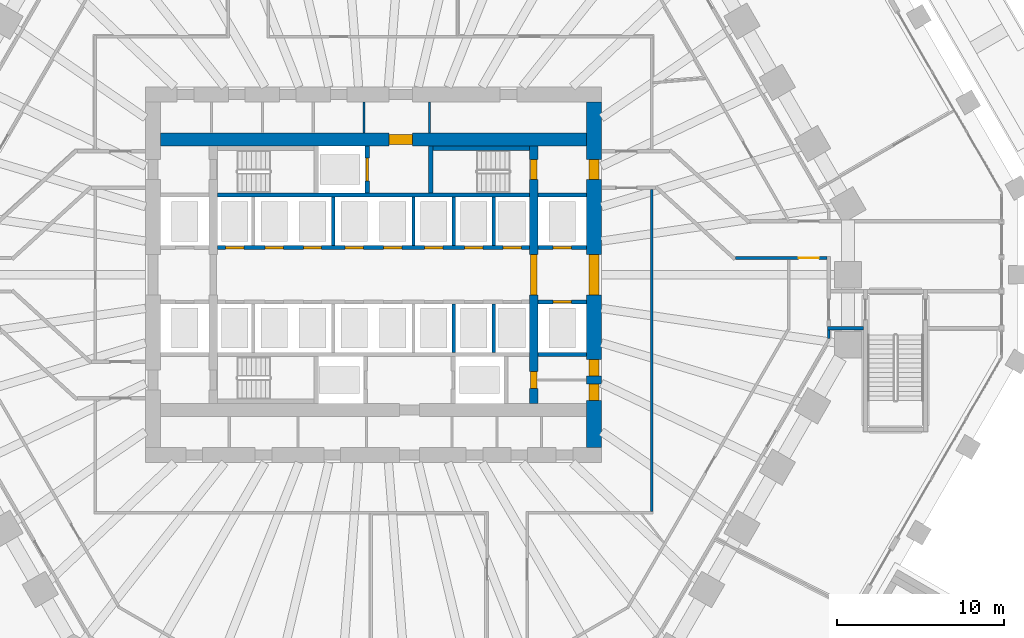
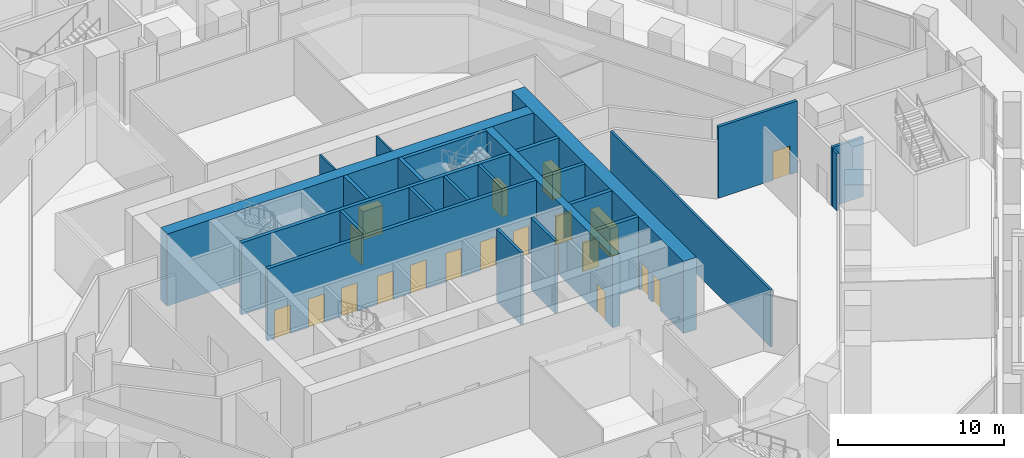
# One storey, part 21 of 44: 24 walls, 20 doors, 20 openings.
"""IFC4 building model written with IfcOpenShell, lengths in metres."""

from ifc_helpers import new_model, si_unit, direction, frame, frame_2d, origin, place, context, subcontext, project, spatial, rectangle, extrude, material, layer, layer_set, type_object, element, fill, save


model = new_model("IFC4")

# Units and contexts
model_context = context("Model", 3, precision=1e-05, world=origin(), true_north=direction((0.0, 1.0)))
body_context = subcontext(model_context, "Body", "Model", "MODEL_VIEW")
ifc_project = project(units=[si_unit("LENGTHUNIT", "METRE"), si_unit("AREAUNIT", "SQUARE_METRE"), si_unit("VOLUMEUNIT", "CUBIC_METRE"), si_unit("PLANEANGLEUNIT", "RADIAN"), si_unit("MASSUNIT", "GRAM", prefix="KILO")], contexts=[model_context])

# Site, building, storey
site_placement = place(None, origin())
site = spatial("IfcSite", under=ifc_project, at=site_placement, CompositionType="ELEMENT")
building_placement = place(site_placement, origin())
building = spatial("IfcBuilding", under=site, at=building_placement, Name="Frailejon Research Tower", CompositionType="ELEMENT")
storey_placement = place(building_placement, origin())
storey = spatial("IfcBuildingStorey", under=building, at=storey_placement, Name="L00", CompositionType="ELEMENT", Elevation=0.0)

# Walls
ifc_material_1 = material(Name="Plasterboard on steel studs", Category="steel")
ifc_layer_1 = layer(ifc_material_1, 0.125)
ifc_layer_set_1 = layer_set([ifc_layer_1], Name="Core partition 125")
wall_type_1 = type_object("IfcWallType", Name="Core partition 125", PredefinedType="PARTITIONING", material=ifc_layer_set_1)
for number, where, z_axis, x_axis, name in (
    (1, (-0.5625, 8.5, 0.0), (0.0, 0.0, 1.0), (0.0, 1.0, 0.0), "Core partition"),
    (2, (3.362548828125, 8.5, 0.0), (0.0, 0.0, 1.0), (0.0, 1.0, 0.0), "Core partition"),
):
    element("IfcWall", number, at=place(storey_placement, frame(where, z_axis=z_axis, x_axis=x_axis)), inside=storey, type_object=wall_type_1, Name=name, PredefinedType="PARTITIONING", context=body_context, shape_type="SweptSolid", body=[
        extrude(rectangle(XDim=1.85009765625, YDim=0.125, at=frame_2d((0.925048828125, 0.0))), origin(), (0.0, 0.0, 1.0), 5.300048828125),
    ])

# Wall, openings, doors
ifc_material_2 = material(Name="Concrete C70/85", Category="concrete")
ifc_layer_2 = layer(ifc_material_2, 0.5)
ifc_layer_set_2 = layer_set([ifc_layer_2], Name="Core shear wall 500 C70/85")
wall_type_2 = type_object("IfcWallType", Name="Core shear wall 500 C70/85", PredefinedType="SHEAR", material=ifc_layer_set_2)
wall_1_placement = place(storey_placement, frame((9.60009765625, -7.699951171875, 0.0), z_axis=(0.0, 0.0, 1.0), x_axis=(0.0, 1.0, 0.0)))
wall_1 = element("IfcWall", 3, at=wall_1_placement, inside=storey, type_object=wall_type_2, Name="Core shear wall", PredefinedType="SHEAR", context=body_context, shape_type="SweptSolid", body=[
    extrude(rectangle(XDim=15.39990234375, YDim=0.5, at=frame_2d((7.699951171875, 0.0))), origin(), (0.0, 0.0, 1.0), 5.300048828125),
])
opening_1_placement = place(wall_1_placement, frame((6.5, 0.0, 0.0)))
opening_1 = element("IfcOpeningElement", 4, at=opening_1_placement, cuts=wall_1, Name="Opening D2", PredefinedType="OPENING", context=body_context, shape_type="SweptSolid", body=[
    extrude(rectangle(XDim=2.39990234375, YDim=2.10009765625, at=frame_2d((1.199951171875, 1.050048828125))), frame((0.0, 0.260009765625, 0.0), z_axis=(0.0, -1.0, 0.0), x_axis=(1.0, 0.0, 0.0)), (0.0, 0.0, 1.0), 0.52001953125),
])
opening_2_placement = place(wall_1_placement, frame((13.39990234375, 0.0, 0.0)))
opening_2 = element("IfcOpeningElement", 5, at=opening_2_placement, cuts=wall_1, Name="Opening D1", PredefinedType="OPENING", context=body_context, shape_type="SweptSolid", body=[
    extrude(rectangle(XDim=1.199951171875, YDim=2.10009765625, at=frame_2d((0.60009765625, 1.050048828125))), frame((0.0, 0.260009765625, 0.0), z_axis=(0.0, -1.0, 0.0), x_axis=(1.0, 0.0, 0.0)), (0.0, 0.0, 1.0), 0.52001953125),
])
opening_3_placement = place(wall_1_placement, frame((0.89990234375, 0.0, 0.0)))
opening_3 = element("IfcOpeningElement", 6, at=opening_3_placement, cuts=wall_1, Name="Opening D4", PredefinedType="OPENING", context=body_context, shape_type="SweptSolid", body=[
    extrude(rectangle(XDim=1.0, YDim=2.10009765625, at=frame_2d((0.5, 1.050048828125))), frame((0.0, 0.260009765625, 0.0), z_axis=(0.0, -1.0, 0.0), x_axis=(1.0, 0.0, 0.0)), (0.0, 0.0, 1.0), 0.52001953125),
])
ifc_material_3 = material(Name="Steel", Category="steel")
door_type_1 = type_object("IfcDoorType", Name="Lobby double door", OperationType="DOUBLE_DOOR_SINGLE_SWING", PredefinedType="DOOR", material=ifc_material_3)
door_1_placement = place(opening_1_placement, origin())
door_1 = element("IfcDoor", 7, at=door_1_placement, inside=storey, type_object=door_type_1, Name="Lobby door", OperationType="DOUBLE_DOOR_SINGLE_SWING", OverallHeight=2.10009765625, OverallWidth=2.39990234375, PredefinedType="DOOR", context=body_context, shape_type="SweptSolid", body=[
    extrude(rectangle(XDim=2.39990234375, YDim=2.10009765625, at=frame_2d((1.199951171875, 1.050048828125))), frame((0.0, 0.199951171875, 0.0), z_axis=(0.0, -1.0, 0.0), x_axis=(1.0, 0.0, 0.0)), (0.0, 0.0, 1.0), 0.39990234375),
])
fill(opening_1, door_1)
ifc_material_4 = material(Name="Steel", Category="steel")
door_type_2 = type_object("IfcDoorType", Name="Service door", OperationType="SINGLE_SWING_LEFT", PredefinedType="DOOR", material=ifc_material_4)
door_2_placement = place(opening_3_placement, origin())
door_2 = element("IfcDoor", 8, at=door_2_placement, inside=storey, type_object=door_type_2, Name="Riser door", OperationType="SINGLE_SWING_LEFT", OverallHeight=2.10009765625, OverallWidth=1.0, PredefinedType="DOOR", context=body_context, shape_type="SweptSolid", body=[
    extrude(rectangle(XDim=1.0, YDim=2.10009765625, at=frame_2d((0.5, 1.050048828125))), frame((0.0, 0.199951171875, 0.0), z_axis=(0.0, -1.0, 0.0), x_axis=(1.0, 0.0, 0.0)), (0.0, 0.0, 1.0), 0.39990234375),
])
fill(opening_3, door_2)
ifc_material_5 = material(Name="Steel", Category="steel")
door_type_3 = type_object("IfcDoorType", Name="Stair door", OperationType="SINGLE_SWING_LEFT", PredefinedType="DOOR", material=ifc_material_5)
door_3_placement = place(opening_2_placement, origin())
door_3 = element("IfcDoor", 9, at=door_3_placement, inside=storey, type_object=door_type_3, Name="Stair door ST3", OperationType="SINGLE_SWING_LEFT", OverallHeight=2.10009765625, OverallWidth=1.199951171875, PredefinedType="DOOR", context=body_context, shape_type="SweptSolid", body=[
    extrude(rectangle(XDim=1.199951171875, YDim=2.10009765625, at=frame_2d((0.60009765625, 1.050048828125))), frame((0.0, 0.199951171875, 0.0), z_axis=(0.0, -1.0, 0.0), x_axis=(1.0, 0.0, 0.0)), (0.0, 0.0, 1.0), 0.39990234375),
])
fill(opening_2, door_3)

# Wall, opening, door
ifc_material_6 = material(Name="Concrete C70/85", Category="concrete")
ifc_layer_3 = layer(ifc_material_6, 0.800048828125)
ifc_layer_set_3 = layer_set([ifc_layer_3], Name="Core shear wall 800 C70/85")
wall_type_3 = type_object("IfcWallType", Name="Core shear wall 800 C70/85", PredefinedType="SHEAR", material=ifc_layer_set_3)
wall_2_placement = place(storey_placement, frame((-12.75, 8.10009765625, 0.0), z_axis=(0.0, 0.0, 1.0), x_axis=(1.0, 0.0, 0.0)))
wall_2 = element("IfcWall", 10, at=wall_2_placement, inside=storey, type_object=wall_type_3, Name="Core shear wall", PredefinedType="SHEAR", context=body_context, shape_type="SweptSolid", body=[
    extrude(rectangle(XDim=25.5, YDim=0.800048828125, at=frame_2d((12.75, 0.0))), origin(), (0.0, 0.0, 1.0), 5.300048828125),
])
opening_4_placement = place(wall_2_placement, frame((13.675048828125, 0.0, 0.0)))
opening_4 = element("IfcOpeningElement", 11, at=opening_4_placement, cuts=wall_2, Name="Opening D9", PredefinedType="OPENING", context=body_context, shape_type="SweptSolid", body=[
    extrude(rectangle(XDim=1.39990234375, YDim=2.10009765625, at=frame_2d((0.699951171875, 1.050048828125))), frame((0.0, 0.409912109375, 0.0), z_axis=(0.0, -1.0, 0.0), x_axis=(1.0, 0.0, 0.0)), (0.0, 0.0, 1.0), 0.820068359375),
])
ifc_material_7 = material(Name="Steel", Category="steel")
door_type_4 = type_object("IfcDoorType", Name="Goods lobby door", OperationType="DOUBLE_DOOR_SINGLE_SWING", PredefinedType="DOOR", material=ifc_material_7)
door_4_placement = place(opening_4_placement, origin())
door_4 = element("IfcDoor", 12, at=door_4_placement, inside=storey, type_object=door_type_4, Name="Goods lobby door", OperationType="DOUBLE_DOOR_SINGLE_SWING", OverallHeight=2.10009765625, OverallWidth=1.39990234375, PredefinedType="DOOR", context=body_context, shape_type="SweptSolid", body=[
    extrude(rectangle(XDim=1.39990234375, YDim=2.10009765625, at=frame_2d((0.699951171875, 1.050048828125))), frame((0.0, 0.300048828125, 0.0), z_axis=(0.0, -1.0, 0.0), x_axis=(1.0, 0.0, 0.0)), (0.0, 0.0, 1.0), 0.60009765625),
])
fill(opening_4, door_4)

# Wall, openings, doors
ifc_material_8 = material(Name="Concrete C70/85", Category="concrete")
ifc_layer_4 = layer(ifc_material_8, 0.89990234375)
ifc_layer_set_4 = layer_set([ifc_layer_4], Name="Core shear wall 900 C70/85")
wall_type_4 = type_object("IfcWallType", Name="Core shear wall 900 C70/85", PredefinedType="SHEAR", material=ifc_layer_set_4)
wall_3_placement = place(storey_placement, frame((13.199951171875, -10.35009765625, 0.0), z_axis=(0.0, 0.0, 1.0), x_axis=(0.0, 1.0, 0.0)))
wall_3 = element("IfcWall", 13, at=wall_3_placement, inside=storey, type_object=wall_type_4, Name="Core shear wall", PredefinedType="SHEAR", context=body_context, shape_type="SweptSolid", body=[
    extrude(rectangle(XDim=20.7001953125, YDim=0.89990234375, at=frame_2d((10.35009765625, 0.0))), origin(), (0.0, 0.0, 1.0), 5.300048828125),
])
opening_5_placement = place(wall_3_placement, frame((9.14990234375, 0.0, 0.0)))
opening_5 = element("IfcOpeningElement", 14, at=opening_5_placement, cuts=wall_3, Name="Opening D2", PredefinedType="OPENING", context=body_context, shape_type="SweptSolid", body=[
    extrude(rectangle(XDim=2.39990234375, YDim=2.10009765625, at=frame_2d((1.199951171875, 1.050048828125))), frame((0.0, 0.4599609375, 0.0), z_axis=(0.0, -1.0, 0.0), x_axis=(1.0, 0.0, 0.0)), (0.0, 0.0, 1.0), 0.919921875),
])
opening_6_placement = place(wall_3_placement, frame((16.050048828125, 0.0, 0.0)))
opening_6 = element("IfcOpeningElement", 15, at=opening_6_placement, cuts=wall_3, Name="Opening D7", PredefinedType="OPENING", context=body_context, shape_type="SweptSolid", body=[
    extrude(rectangle(XDim=1.199951171875, YDim=2.10009765625, at=frame_2d((0.60009765625, 1.050048828125))), frame((0.0, 0.4599609375, 0.0), z_axis=(0.0, -1.0, 0.0), x_axis=(1.0, 0.0, 0.0)), (0.0, 0.0, 1.0), 0.919921875),
])
opening_7_placement = place(wall_3_placement, frame((2.81884765625, 0.0, 0.0)))
opening_7 = element("IfcOpeningElement", 16, at=opening_7_placement, cuts=wall_3, Name="Opening D4", PredefinedType="OPENING", context=body_context, shape_type="SweptSolid", body=[
    extrude(rectangle(XDim=1.0, YDim=2.10009765625, at=frame_2d((0.5, 1.050048828125))), frame((0.0, 0.4599609375, 0.0), z_axis=(0.0, -1.0, 0.0), x_axis=(1.0, 0.0, 0.0)), (0.0, 0.0, 1.0), 0.919921875),
])
opening_8_placement = place(wall_3_placement, frame((4.28125, 0.0, 0.0)))
opening_8 = element("IfcOpeningElement", 17, at=opening_8_placement, cuts=wall_3, Name="Opening D4", PredefinedType="OPENING", context=body_context, shape_type="SweptSolid", body=[
    extrude(rectangle(XDim=1.0, YDim=2.10009765625, at=frame_2d((0.5, 1.050048828125))), frame((0.0, 0.4599609375, 0.0), z_axis=(0.0, -1.0, 0.0), x_axis=(1.0, 0.0, 0.0)), (0.0, 0.0, 1.0), 0.919921875),
])
door_5_placement = place(opening_5_placement, origin())
door_5 = element("IfcDoor", 18, at=door_5_placement, inside=storey, type_object=door_type_1, Name="Lobby door", OperationType="DOUBLE_DOOR_SINGLE_SWING", OverallHeight=2.10009765625, OverallWidth=2.39990234375, PredefinedType="DOOR", context=body_context, shape_type="SweptSolid", body=[
    extrude(rectangle(XDim=2.39990234375, YDim=2.10009765625, at=frame_2d((1.199951171875, 1.050048828125))), frame((0.0, 0.300048828125, 0.0), z_axis=(0.0, -1.0, 0.0), x_axis=(1.0, 0.0, 0.0)), (0.0, 0.0, 1.0), 0.60009765625),
])
fill(opening_5, door_5)
door_6_placement = place(opening_7_placement, origin())
door_6 = element("IfcDoor", 19, at=door_6_placement, inside=storey, type_object=door_type_2, Name="Store door", OperationType="SINGLE_SWING_RIGHT", OverallHeight=2.10009765625, OverallWidth=1.0, PredefinedType="DOOR", context=body_context, shape_type="SweptSolid", body=[
    extrude(rectangle(XDim=1.0, YDim=2.10009765625, at=frame_2d((0.5, 1.050048828125))), frame((0.0, 0.300048828125, 0.0), z_axis=(0.0, -1.0, 0.0), x_axis=(1.0, 0.0, 0.0)), (0.0, 0.0, 1.0), 0.60009765625),
])
fill(opening_7, door_6)
door_7_placement = place(opening_8_placement, origin())
door_7 = element("IfcDoor", 20, at=door_7_placement, inside=storey, type_object=door_type_2, Name="Store door", OperationType="SINGLE_SWING_LEFT", OverallHeight=2.10009765625, OverallWidth=1.0, PredefinedType="DOOR", context=body_context, shape_type="SweptSolid", body=[
    extrude(rectangle(XDim=1.0, YDim=2.10009765625, at=frame_2d((0.5, 1.050048828125))), frame((0.0, 0.300048828125, 0.0), z_axis=(0.0, -1.0, 0.0), x_axis=(1.0, 0.0, 0.0)), (0.0, 0.0, 1.0), 0.60009765625),
])
fill(opening_8, door_7)
ifc_material_9 = material(Name="Steel", Category="steel")
door_type_5 = type_object("IfcDoorType", Name="Stair exit door", OperationType="SINGLE_SWING_LEFT", PredefinedType="DOOR", material=ifc_material_9)
door_8_placement = place(opening_6_placement, origin())
door_8 = element("IfcDoor", 21, at=door_8_placement, inside=storey, type_object=door_type_5, Name="Stair exit door ST3", OperationType="SINGLE_SWING_RIGHT", OverallHeight=2.10009765625, OverallWidth=1.199951171875, PredefinedType="DOOR", context=body_context, shape_type="SweptSolid", body=[
    extrude(rectangle(XDim=1.199951171875, YDim=2.10009765625, at=frame_2d((0.60009765625, 1.050048828125))), frame((0.0, 0.300048828125, 0.0), z_axis=(0.0, -1.0, 0.0), x_axis=(1.0, 0.0, 0.0)), (0.0, 0.0, 1.0), 0.60009765625),
])
fill(opening_6, door_8)

# Walls
ifc_material_10 = material(Name="Gypsum board and masonry partition", Category="masonry")
ifc_layer_5 = layer(ifc_material_10, 0.14990234375)
ifc_layer_set_5 = layer_set([ifc_layer_5], Name="Corridor wall EI 60, gypsum on steel studs 150")
wall_type_5 = type_object("IfcWallType", Name="Corridor wall EI 60, gypsum on steel studs 150", PredefinedType="PARTITIONING", material=ifc_layer_set_5)
wall_4_placement = place(storey_placement, frame((16.64990234375, -14.175048828125, 0.0), z_axis=(0.0, 0.0, 1.0), x_axis=(0.0, 1.0, 0.0)))
element("IfcWall", 22, at=wall_4_placement, inside=storey, type_object=wall_type_5, Name="T:IW:L00:001", PredefinedType="PARTITIONING", context=body_context, shape_type="SweptSolid", body=[
    extrude(rectangle(XDim=19.275146484375, YDim=0.14990234375, at=frame_2d((9.6376953125, 0.0))), origin(), (0.0, 0.0, 1.0), 4.199951171875),
])
wall_5_placement = place(storey_placement, frame((27.2626953125, -3.804443359375, 0.0), z_axis=(0.0, 0.0, 1.0), x_axis=(0.0, 1.0, 0.0)))
element("IfcWall", 23, at=wall_5_placement, inside=storey, type_object=wall_type_5, Name="T:IW:L00:009", PredefinedType="PARTITIONING", context=body_context, shape_type="SweptSolid", body=[
    extrude(rectangle(XDim=0.5107421875, YDim=0.14990234375, at=frame_2d((0.25537109375, 0.0))), origin(), (0.0, 0.0, 1.0), 4.199951171875),
])

# Wall, opening, door
ifc_material_11 = material(Name="Gypsum board and masonry partition", Category="masonry")
ifc_layer_6 = layer(ifc_material_11, 0.199951171875)
ifc_layer_set_6 = layer_set([ifc_layer_6], Name="Enclosure wall EI 120, blockwork 200")
wall_type_6 = type_object("IfcWallType", Name="Enclosure wall EI 120, blockwork 200", PredefinedType="PARTITIONING", material=ifc_layer_set_6)
wall_6_placement = place(storey_placement, frame((21.67333984375, 1.0, 0.0), z_axis=(0.0, 0.0, 1.0), x_axis=(1.0, 0.0, 0.0)))
wall_6 = element("IfcWall", 24, at=wall_6_placement, inside=storey, type_object=wall_type_6, Name="T:IW:L00:058", PredefinedType="PARTITIONING", context=body_context, shape_type="SweptSolid", body=[
    extrude(rectangle(XDim=5.489501953125, YDim=0.199951171875, at=frame_2d((2.74462890625, 0.0))), origin(), (0.0, 0.0, 1.0), 5.25),
])
opening_9_placement = place(wall_6_placement, frame((3.789306640625, 0.0, 0.0)))
opening_9 = element("IfcOpeningElement", 25, at=opening_9_placement, cuts=wall_6, Name="Opening D1023", PredefinedType="OPENING", context=body_context, shape_type="SweptSolid", body=[
    extrude(rectangle(XDim=1.199951171875, YDim=2.10009765625, at=frame_2d((0.60009765625, 1.050048828125))), frame((0.0, 0.10986328125, 0.0), z_axis=(0.0, -1.0, 0.0), x_axis=(1.0, 0.0, 0.0)), (0.0, 0.0, 1.0), 0.219970703125),
])
ifc_material_12 = material(Name="Steel door leaf", Category="steel")
door_type_6 = type_object("IfcDoorType", Name="Door exit passage, steel, fire rated 1200", OperationType="NOTDEFINED", PredefinedType="DOOR", material=ifc_material_12)
door_9_placement = place(opening_9_placement, origin())
door_9 = element("IfcDoor", 26, at=door_9_placement, inside=storey, type_object=door_type_6, Name="D1023", OperationType="SINGLE_SWING_RIGHT", OverallHeight=2.10009765625, OverallWidth=1.199951171875, PredefinedType="DOOR", context=body_context, shape_type="SweptSolid", body=[
    extrude(rectangle(XDim=1.199951171875, YDim=2.10009765625, at=frame_2d((0.60009765625, 1.050048828125))), frame((0.0, 0.02490234375, 0.0), z_axis=(0.0, -1.0, 0.0), x_axis=(1.0, 0.0, 0.0)), (0.0, 0.0, 1.0), 0.050048828125),
])
fill(opening_9, door_9)

# Walls
wall_7_placement = place(storey_placement, frame((27.187744140625, -3.19384765625, 0.0), z_axis=(0.0, 0.0, 1.0), x_axis=(1.0, 0.0, 0.0)))
element("IfcWall", 27, at=wall_7_placement, inside=storey, type_object=wall_type_6, Name="T:IW:L00:081", PredefinedType="PARTITIONING", context=body_context, shape_type="SweptSolid", body=[
    extrude(rectangle(XDim=2.150146484375, YDim=0.199951171875, at=frame_2d((1.0751953125, 0.0))), origin(), (0.0, 0.0, 1.0), 4.35009765625),
])
ifc_material_13 = material(Name="Concrete C70/85", Category="concrete")
ifc_layer_7 = layer(ifc_material_13, 0.199951171875)
ifc_layer_set_7 = layer_set([ifc_layer_7], Name="Shaft wall 200 C70/85")
wall_type_7 = type_object("IfcWallType", Name="Shaft wall 200 C70/85", PredefinedType="SOLIDWALL", material=ifc_layer_set_7)
for number, where, z_axis, x_axis, name in (
    (28, (-2.39990234375, 1.75, 0.0), (0.0, 0.0, 1.0), (0.0, 1.0, 0.0), "Shaft wall"),
    (29, (2.39990234375, 1.75, 0.0), (0.0, 0.0, 1.0), (0.0, 1.0, 0.0), "Shaft wall"),
    (30, (4.800048828125, 1.75, 0.0), (0.0, 0.0, 1.0), (0.0, 1.0, 0.0), "Shaft wall"),
    (31, (7.199951171875, 1.75, 0.0), (0.0, 0.0, 1.0), (0.0, 1.0, 0.0), "Shaft wall"),
    (32, (4.800048828125, -4.64990234375, 0.0), (0.0, 0.0, 1.0), (0.0, 1.0, 0.0), "Shaft wall"),
    (33, (7.199951171875, -4.64990234375, 0.0), (0.0, 0.0, 1.0), (0.0, 1.0, 0.0), "Shaft wall"),
):
    element("IfcWall", number, at=place(storey_placement, frame(where, z_axis=z_axis, x_axis=x_axis)), inside=storey, type_object=wall_type_7, Name=name, PredefinedType="SOLIDWALL", context=body_context, shape_type="SweptSolid", body=[
        extrude(rectangle(XDim=2.89990234375, YDim=0.199951171875, at=frame_2d((1.449951171875, 0.0))), origin(), (0.0, 0.0, 1.0), 5.300048828125),
    ])

# Wall, openings, doors
ifc_material_14 = material(Name="Concrete C70/85", Category="concrete")
ifc_layer_8 = layer(ifc_material_14, 0.25)
ifc_layer_set_8 = layer_set([ifc_layer_8], Name="Shaft wall 250 C70/85")
wall_type_8 = type_object("IfcWallType", Name="Shaft wall 250 C70/85", PredefinedType="SOLIDWALL", material=ifc_layer_set_8)
wall_8_placement = place(storey_placement, frame((-9.35009765625, 1.625, 0.0), z_axis=(0.0, 0.0, 1.0), x_axis=(1.0, 0.0, 0.0)))
wall_8 = element("IfcWall", 34, at=wall_8_placement, inside=storey, type_object=wall_type_8, Name="Shaft wall", PredefinedType="SOLIDWALL", context=body_context, shape_type="SweptSolid", body=[
    extrude(rectangle(XDim=18.7001953125, YDim=0.25, at=frame_2d((9.35009765625, 0.0))), origin(), (0.0, 0.0, 1.0), 5.300048828125),
])
opening_10_placement = place(wall_8_placement, frame((0.5, 0.0, 0.0)))
opening_10 = element("IfcOpeningElement", 35, at=opening_10_placement, cuts=wall_8, Name="Opening LD", PredefinedType="OPENING", context=body_context, shape_type="SweptSolid", body=[
    extrude(rectangle(XDim=1.10009765625, YDim=2.10009765625, at=frame_2d((0.550048828125, 1.050048828125))), frame((0.0, 0.135009765625, 0.0), z_axis=(0.0, -1.0, 0.0), x_axis=(1.0, 0.0, 0.0)), (0.0, 0.0, 1.0), 0.27001953125),
])
opening_11_placement = place(wall_8_placement, frame((2.85009765625, 0.0, 0.0)))
opening_11 = element("IfcOpeningElement", 36, at=opening_11_placement, cuts=wall_8, Name="Opening LD", PredefinedType="OPENING", context=body_context, shape_type="SweptSolid", body=[
    extrude(rectangle(XDim=1.10009765625, YDim=2.10009765625, at=frame_2d((0.550048828125, 1.050048828125))), frame((0.0, 0.135009765625, 0.0), z_axis=(0.0, -1.0, 0.0), x_axis=(1.0, 0.0, 0.0)), (0.0, 0.0, 1.0), 0.27001953125),
])
opening_12_placement = place(wall_8_placement, frame((5.14990234375, 0.0, 0.0)))
opening_12 = element("IfcOpeningElement", 37, at=opening_12_placement, cuts=wall_8, Name="Opening LD", PredefinedType="OPENING", context=body_context, shape_type="SweptSolid", body=[
    extrude(rectangle(XDim=1.10009765625, YDim=2.10009765625, at=frame_2d((0.550048828125, 1.050048828125))), frame((0.0, 0.135009765625, 0.0), z_axis=(0.0, -1.0, 0.0), x_axis=(1.0, 0.0, 0.0)), (0.0, 0.0, 1.0), 0.27001953125),
])
opening_13_placement = place(wall_8_placement, frame((7.64990234375, 0.0, 0.0)))
opening_13 = element("IfcOpeningElement", 38, at=opening_13_placement, cuts=wall_8, Name="Opening LD", PredefinedType="OPENING", context=body_context, shape_type="SweptSolid", body=[
    extrude(rectangle(XDim=1.10009765625, YDim=2.10009765625, at=frame_2d((0.550048828125, 1.050048828125))), frame((0.0, 0.135009765625, 0.0), z_axis=(0.0, -1.0, 0.0), x_axis=(1.0, 0.0, 0.0)), (0.0, 0.0, 1.0), 0.27001953125),
])
opening_14_placement = place(wall_8_placement, frame((9.949951171875, 0.0, 0.0)))
opening_14 = element("IfcOpeningElement", 39, at=opening_14_placement, cuts=wall_8, Name="Opening LD", PredefinedType="OPENING", context=body_context, shape_type="SweptSolid", body=[
    extrude(rectangle(XDim=1.10009765625, YDim=2.10009765625, at=frame_2d((0.550048828125, 1.050048828125))), frame((0.0, 0.135009765625, 0.0), z_axis=(0.0, -1.0, 0.0), x_axis=(1.0, 0.0, 0.0)), (0.0, 0.0, 1.0), 0.27001953125),
])
opening_15_placement = place(wall_8_placement, frame((12.39990234375, 0.0, 0.0)))
opening_15 = element("IfcOpeningElement", 40, at=opening_15_placement, cuts=wall_8, Name="Opening LD", PredefinedType="OPENING", context=body_context, shape_type="SweptSolid", body=[
    extrude(rectangle(XDim=1.10009765625, YDim=2.10009765625, at=frame_2d((0.550048828125, 1.050048828125))), frame((0.0, 0.135009765625, 0.0), z_axis=(0.0, -1.0, 0.0), x_axis=(1.0, 0.0, 0.0)), (0.0, 0.0, 1.0), 0.27001953125),
])
opening_16_placement = place(wall_8_placement, frame((14.800048828125, 0.0, 0.0)))
opening_16 = element("IfcOpeningElement", 41, at=opening_16_placement, cuts=wall_8, Name="Opening LD", PredefinedType="OPENING", context=body_context, shape_type="SweptSolid", body=[
    extrude(rectangle(XDim=1.10009765625, YDim=2.10009765625, at=frame_2d((0.550048828125, 1.050048828125))), frame((0.0, 0.135009765625, 0.0), z_axis=(0.0, -1.0, 0.0), x_axis=(1.0, 0.0, 0.0)), (0.0, 0.0, 1.0), 0.27001953125),
])
opening_17_placement = place(wall_8_placement, frame((17.10009765625, 0.0, 0.0)))
opening_17 = element("IfcOpeningElement", 42, at=opening_17_placement, cuts=wall_8, Name="Opening LD", PredefinedType="OPENING", context=body_context, shape_type="SweptSolid", body=[
    extrude(rectangle(XDim=1.10009765625, YDim=2.10009765625, at=frame_2d((0.550048828125, 1.050048828125))), frame((0.0, 0.135009765625, 0.0), z_axis=(0.0, -1.0, 0.0), x_axis=(1.0, 0.0, 0.0)), (0.0, 0.0, 1.0), 0.27001953125),
])
ifc_material_15 = material(Name="Steel", Category="steel")
door_type_7 = type_object("IfcDoorType", Name="Lift landing door", OperationType="DOUBLE_DOOR_SLIDING", PredefinedType="DOOR", material=ifc_material_15)
door_10_placement = place(opening_10_placement, origin())
door_10 = element("IfcDoor", 43, at=door_10_placement, inside=storey, type_object=door_type_7, Name="Lift landing door", OperationType="DOUBLE_DOOR_SLIDING", OverallHeight=2.10009765625, OverallWidth=1.10009765625, PredefinedType="DOOR", context=body_context, shape_type="SweptSolid", body=[
    extrude(rectangle(XDim=1.10009765625, YDim=2.10009765625, at=frame_2d((0.550048828125, 1.050048828125))), frame((0.0, 0.074951171875, 0.0), z_axis=(0.0, -1.0, 0.0), x_axis=(1.0, 0.0, 0.0)), (0.0, 0.0, 1.0), 0.14990234375),
])
fill(opening_10, door_10)
door_11_placement = place(opening_11_placement, origin())
door_11 = element("IfcDoor", 44, at=door_11_placement, inside=storey, type_object=door_type_7, Name="Lift landing door", OperationType="DOUBLE_DOOR_SLIDING", OverallHeight=2.10009765625, OverallWidth=1.10009765625, PredefinedType="DOOR", context=body_context, shape_type="SweptSolid", body=[
    extrude(rectangle(XDim=1.10009765625, YDim=2.10009765625, at=frame_2d((0.550048828125, 1.050048828125))), frame((0.0, 0.074951171875, 0.0), z_axis=(0.0, -1.0, 0.0), x_axis=(1.0, 0.0, 0.0)), (0.0, 0.0, 1.0), 0.14990234375),
])
fill(opening_11, door_11)
door_12_placement = place(opening_12_placement, origin())
door_12 = element("IfcDoor", 45, at=door_12_placement, inside=storey, type_object=door_type_7, Name="Lift landing door", OperationType="DOUBLE_DOOR_SLIDING", OverallHeight=2.10009765625, OverallWidth=1.10009765625, PredefinedType="DOOR", context=body_context, shape_type="SweptSolid", body=[
    extrude(rectangle(XDim=1.10009765625, YDim=2.10009765625, at=frame_2d((0.550048828125, 1.050048828125))), frame((0.0, 0.074951171875, 0.0), z_axis=(0.0, -1.0, 0.0), x_axis=(1.0, 0.0, 0.0)), (0.0, 0.0, 1.0), 0.14990234375),
])
fill(opening_12, door_12)
door_13_placement = place(opening_13_placement, origin())
door_13 = element("IfcDoor", 46, at=door_13_placement, inside=storey, type_object=door_type_7, Name="Lift landing door", OperationType="DOUBLE_DOOR_SLIDING", OverallHeight=2.10009765625, OverallWidth=1.10009765625, PredefinedType="DOOR", context=body_context, shape_type="SweptSolid", body=[
    extrude(rectangle(XDim=1.10009765625, YDim=2.10009765625, at=frame_2d((0.550048828125, 1.050048828125))), frame((0.0, 0.074951171875, 0.0), z_axis=(0.0, -1.0, 0.0), x_axis=(1.0, 0.0, 0.0)), (0.0, 0.0, 1.0), 0.14990234375),
])
fill(opening_13, door_13)
door_14_placement = place(opening_14_placement, origin())
door_14 = element("IfcDoor", 47, at=door_14_placement, inside=storey, type_object=door_type_7, Name="Lift landing door", OperationType="DOUBLE_DOOR_SLIDING", OverallHeight=2.10009765625, OverallWidth=1.10009765625, PredefinedType="DOOR", context=body_context, shape_type="SweptSolid", body=[
    extrude(rectangle(XDim=1.10009765625, YDim=2.10009765625, at=frame_2d((0.550048828125, 1.050048828125))), frame((0.0, 0.074951171875, 0.0), z_axis=(0.0, -1.0, 0.0), x_axis=(1.0, 0.0, 0.0)), (0.0, 0.0, 1.0), 0.14990234375),
])
fill(opening_14, door_14)
door_15_placement = place(opening_15_placement, origin())
door_15 = element("IfcDoor", 48, at=door_15_placement, inside=storey, type_object=door_type_7, Name="Lift landing door", OperationType="DOUBLE_DOOR_SLIDING", OverallHeight=2.10009765625, OverallWidth=1.10009765625, PredefinedType="DOOR", context=body_context, shape_type="SweptSolid", body=[
    extrude(rectangle(XDim=1.10009765625, YDim=2.10009765625, at=frame_2d((0.550048828125, 1.050048828125))), frame((0.0, 0.074951171875, 0.0), z_axis=(0.0, -1.0, 0.0), x_axis=(1.0, 0.0, 0.0)), (0.0, 0.0, 1.0), 0.14990234375),
])
fill(opening_15, door_15)
door_16_placement = place(opening_16_placement, origin())
door_16 = element("IfcDoor", 49, at=door_16_placement, inside=storey, type_object=door_type_7, Name="Lift landing door", OperationType="DOUBLE_DOOR_SLIDING", OverallHeight=2.10009765625, OverallWidth=1.10009765625, PredefinedType="DOOR", context=body_context, shape_type="SweptSolid", body=[
    extrude(rectangle(XDim=1.10009765625, YDim=2.10009765625, at=frame_2d((0.550048828125, 1.050048828125))), frame((0.0, 0.074951171875, 0.0), z_axis=(0.0, -1.0, 0.0), x_axis=(1.0, 0.0, 0.0)), (0.0, 0.0, 1.0), 0.14990234375),
])
fill(opening_16, door_16)
door_17_placement = place(opening_17_placement, origin())
door_17 = element("IfcDoor", 50, at=door_17_placement, inside=storey, type_object=door_type_7, Name="Lift landing door", OperationType="DOUBLE_DOOR_SLIDING", OverallHeight=2.10009765625, OverallWidth=1.10009765625, PredefinedType="DOOR", context=body_context, shape_type="SweptSolid", body=[
    extrude(rectangle(XDim=1.10009765625, YDim=2.10009765625, at=frame_2d((0.550048828125, 1.050048828125))), frame((0.0, 0.074951171875, 0.0), z_axis=(0.0, -1.0, 0.0), x_axis=(1.0, 0.0, 0.0)), (0.0, 0.0, 1.0), 0.14990234375),
])
fill(opening_17, door_17)

# Wall, opening, door
wall_9_placement = place(storey_placement, frame((9.85009765625, 1.625, 0.0), z_axis=(0.0, 0.0, 1.0), x_axis=(1.0, 0.0, 0.0)))
wall_9 = element("IfcWall", 51, at=wall_9_placement, inside=storey, type_object=wall_type_8, Name="Shaft wall", PredefinedType="SOLIDWALL", context=body_context, shape_type="SweptSolid", body=[
    extrude(rectangle(XDim=2.89990234375, YDim=0.25, at=frame_2d((1.449951171875, 0.0))), origin(), (0.0, 0.0, 1.0), 5.300048828125),
])
opening_18_placement = place(wall_9_placement, frame((0.89990234375, 0.0, 0.0)))
opening_18 = element("IfcOpeningElement", 52, at=opening_18_placement, cuts=wall_9, Name="Opening LD", PredefinedType="OPENING", context=body_context, shape_type="SweptSolid", body=[
    extrude(rectangle(XDim=1.10009765625, YDim=2.10009765625, at=frame_2d((0.550048828125, 1.050048828125))), frame((0.0, 0.135009765625, 0.0), z_axis=(0.0, -1.0, 0.0), x_axis=(1.0, 0.0, 0.0)), (0.0, 0.0, 1.0), 0.27001953125),
])
door_18_placement = place(opening_18_placement, origin())
door_18 = element("IfcDoor", 53, at=door_18_placement, inside=storey, type_object=door_type_7, Name="Lift landing door", OperationType="DOUBLE_DOOR_SLIDING", OverallHeight=2.10009765625, OverallWidth=1.10009765625, PredefinedType="DOOR", context=body_context, shape_type="SweptSolid", body=[
    extrude(rectangle(XDim=1.10009765625, YDim=2.10009765625, at=frame_2d((0.550048828125, 1.050048828125))), frame((0.0, 0.074951171875, 0.0), z_axis=(0.0, -1.0, 0.0), x_axis=(1.0, 0.0, 0.0)), (0.0, 0.0, 1.0), 0.14990234375),
])
fill(opening_18, door_18)

# Walls
wall_10_placement = place(storey_placement, frame((-9.35009765625, 4.77490234375, 0.0), z_axis=(0.0, 0.0, 1.0), x_axis=(1.0, 0.0, 0.0)))
element("IfcWall", 54, at=wall_10_placement, inside=storey, type_object=wall_type_8, Name="Shaft wall", PredefinedType="SOLIDWALL", context=body_context, shape_type="SweptSolid", body=[
    extrude(rectangle(XDim=18.7001953125, YDim=0.25, at=frame_2d((9.35009765625, 0.0))), origin(), (0.0, 0.0, 1.0), 5.300048828125),
])
wall_11_placement = place(storey_placement, frame((9.85009765625, 4.77490234375, 0.0), z_axis=(0.0, 0.0, 1.0), x_axis=(1.0, 0.0, 0.0)))
element("IfcWall", 55, at=wall_11_placement, inside=storey, type_object=wall_type_8, Name="Shaft wall", PredefinedType="SOLIDWALL", context=body_context, shape_type="SweptSolid", body=[
    extrude(rectangle(XDim=2.89990234375, YDim=0.25, at=frame_2d((1.449951171875, 0.0))), origin(), (0.0, 0.0, 1.0), 5.300048828125),
])

# Wall, opening, door
wall_12_placement = place(storey_placement, frame((9.85009765625, -1.625, 0.0), z_axis=(0.0, 0.0, 1.0), x_axis=(1.0, 0.0, 0.0)))
wall_12 = element("IfcWall", 56, at=wall_12_placement, inside=storey, type_object=wall_type_8, Name="Shaft wall", PredefinedType="SOLIDWALL", context=body_context, shape_type="SweptSolid", body=[
    extrude(rectangle(XDim=2.89990234375, YDim=0.25, at=frame_2d((1.449951171875, 0.0))), origin(), (0.0, 0.0, 1.0), 5.300048828125),
])
opening_19_placement = place(wall_12_placement, frame((0.89990234375, 0.0, 0.0)))
opening_19 = element("IfcOpeningElement", 57, at=opening_19_placement, cuts=wall_12, Name="Opening LD", PredefinedType="OPENING", context=body_context, shape_type="SweptSolid", body=[
    extrude(rectangle(XDim=1.10009765625, YDim=2.10009765625, at=frame_2d((0.550048828125, 1.050048828125))), frame((0.0, 0.135009765625, 0.0), z_axis=(0.0, -1.0, 0.0), x_axis=(1.0, 0.0, 0.0)), (0.0, 0.0, 1.0), 0.27001953125),
])
door_19_placement = place(opening_19_placement, origin())
door_19 = element("IfcDoor", 58, at=door_19_placement, inside=storey, type_object=door_type_7, Name="Lift landing door", OperationType="DOUBLE_DOOR_SLIDING", OverallHeight=2.10009765625, OverallWidth=1.10009765625, PredefinedType="DOOR", context=body_context, shape_type="SweptSolid", body=[
    extrude(rectangle(XDim=1.10009765625, YDim=2.10009765625, at=frame_2d((0.550048828125, 1.050048828125))), frame((0.0, 0.074951171875, 0.0), z_axis=(0.0, -1.0, 0.0), x_axis=(1.0, 0.0, 0.0)), (0.0, 0.0, 1.0), 0.14990234375),
])
fill(opening_19, door_19)

# Walls
wall_13_placement = place(storey_placement, frame((9.85009765625, -4.77490234375, 0.0), z_axis=(0.0, 0.0, 1.0), x_axis=(1.0, 0.0, 0.0)))
element("IfcWall", 59, at=wall_13_placement, inside=storey, type_object=wall_type_8, Name="Shaft wall", PredefinedType="SOLIDWALL", context=body_context, shape_type="SweptSolid", body=[
    extrude(rectangle(XDim=2.89990234375, YDim=0.25, at=frame_2d((1.449951171875, 0.0))), origin(), (0.0, 0.0, 1.0), 5.300048828125),
])
wall_14_placement = place(storey_placement, frame((3.550048828125, 7.574951171875, 0.0), z_axis=(0.0, 0.0, 1.0), x_axis=(1.0, 0.0, 0.0)))
element("IfcWall", 60, at=wall_14_placement, inside=storey, type_object=wall_type_8, Name="Shaft wall", PredefinedType="SOLIDWALL", context=body_context, shape_type="SweptSolid", body=[
    extrude(rectangle(XDim=5.800048828125, YDim=0.25, at=frame_2d((2.89990234375, 0.0))), origin(), (0.0, 0.0, 1.0), 5.300048828125),
])

# Wall, opening, door
wall_15_placement = place(storey_placement, frame((-0.375, 4.89990234375, 0.0), z_axis=(0.0, 0.0, 1.0), x_axis=(0.0, 1.0, 0.0)))
wall_15 = element("IfcWall", 61, at=wall_15_placement, inside=storey, type_object=wall_type_8, Name="Shaft wall", PredefinedType="SOLIDWALL", context=body_context, shape_type="SweptSolid", body=[
    extrude(rectangle(XDim=2.800048828125, YDim=0.25, at=frame_2d((1.39990234375, 0.0))), origin(), (0.0, 0.0, 1.0), 5.300048828125),
])
opening_20_placement = place(wall_15_placement, frame((0.699951171875, 0.0, 0.0)))
opening_20 = element("IfcOpeningElement", 62, at=opening_20_placement, cuts=wall_15, Name="Opening LD2", PredefinedType="OPENING", context=body_context, shape_type="SweptSolid", body=[
    extrude(rectangle(XDim=1.39990234375, YDim=2.10009765625, at=frame_2d((0.699951171875, 1.050048828125))), frame((0.0, 0.135009765625, 0.0), z_axis=(0.0, -1.0, 0.0), x_axis=(1.0, 0.0, 0.0)), (0.0, 0.0, 1.0), 0.27001953125),
])
ifc_material_16 = material(Name="Stainless steel", Category="steel")
door_type_8 = type_object("IfcDoorType", Name="Goods landing door", OperationType="DOUBLE_DOOR_SLIDING", PredefinedType="DOOR", material=ifc_material_16)
door_20_placement = place(opening_20_placement, origin())
door_20 = element("IfcDoor", 63, at=door_20_placement, inside=storey, type_object=door_type_8, Name="Lift landing door", OperationType="DOUBLE_DOOR_SLIDING", OverallHeight=2.10009765625, OverallWidth=1.39990234375, PredefinedType="DOOR", context=body_context, shape_type="SweptSolid", body=[
    extrude(rectangle(XDim=1.39990234375, YDim=2.10009765625, at=frame_2d((0.699951171875, 1.050048828125))), frame((0.0, 0.074951171875, 0.0), z_axis=(0.0, -1.0, 0.0), x_axis=(1.0, 0.0, 0.0)), (0.0, 0.0, 1.0), 0.14990234375),
])
fill(opening_20, door_20)

# Wall
wall_16_placement = place(storey_placement, frame((3.425048828125, 4.89990234375, 0.0), z_axis=(0.0, 0.0, 1.0), x_axis=(0.0, 1.0, 0.0)))
element("IfcWall", 64, at=wall_16_placement, inside=storey, type_object=wall_type_8, Name="Shaft wall", PredefinedType="SOLIDWALL", context=body_context, shape_type="SweptSolid", body=[
    extrude(rectangle(XDim=2.800048828125, YDim=0.25, at=frame_2d((1.39990234375, 0.0))), origin(), (0.0, 0.0, 1.0), 5.300048828125),
])

save(model, "model.ifc")
